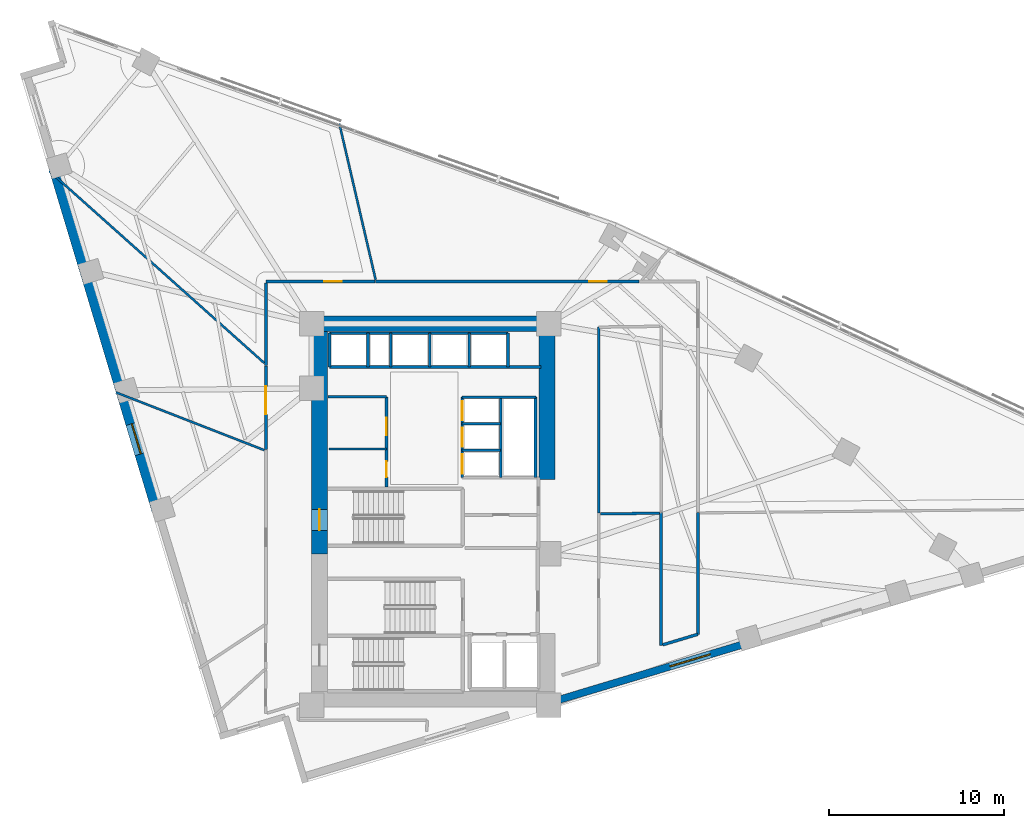
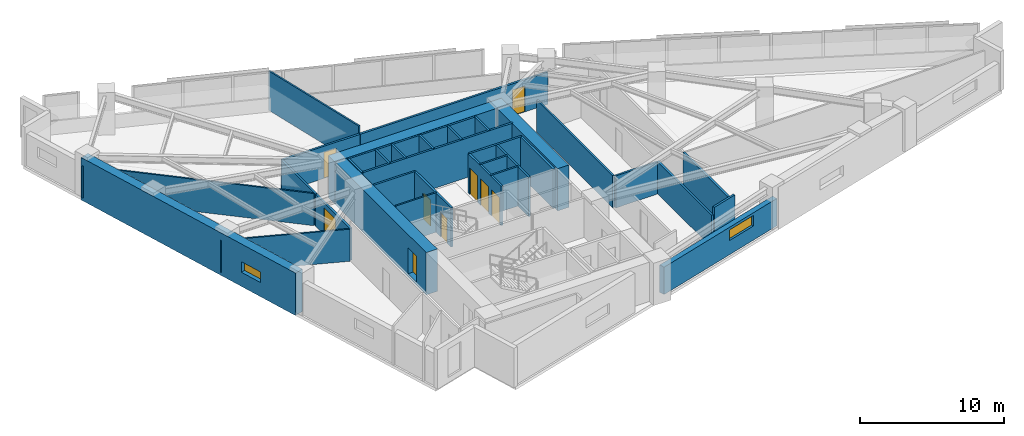
# One storey, part 11 of 15: 35 walls, 9 doors, 2 windows, 11 openings.
"""IFC4 building model written with IfcOpenShell, lengths in metres."""

from ifc_helpers import new_model, si_unit, direction, frame, frame_2d, origin, place, context, subcontext, project, spatial, rectangle, extrude, material, layer, layer_set, type_object, element, fill, save


model = new_model("IFC4")

# Units and contexts
model_context = context("Model", 3, precision=1e-05, world=origin(), true_north=direction((0.0, 1.0)))
body_context = subcontext(model_context, "Body", "Model", "MODEL_VIEW")
ifc_project = project(units=[si_unit("LENGTHUNIT", "METRE"), si_unit("AREAUNIT", "SQUARE_METRE"), si_unit("VOLUMEUNIT", "CUBIC_METRE"), si_unit("PLANEANGLEUNIT", "RADIAN"), si_unit("MASSUNIT", "GRAM", prefix="KILO")], contexts=[model_context])

# Site, building, storey
site_placement = place(None, origin())
site = spatial("IfcSite", under=ifc_project, at=site_placement, CompositionType="ELEMENT")
building_placement = place(site_placement, origin())
building = spatial("IfcBuilding", under=site, at=building_placement, Name="Narakoshi Arena Tower", CompositionType="ELEMENT")
storey_placement = place(building_placement, frame((0.0, 0.0, 157.5)))
storey = spatial("IfcBuildingStorey", under=building, at=storey_placement, Name="L42", CompositionType="ELEMENT", Elevation=157.5)

# Wall, opening, door
ifc_material_1 = material(Name="Concrete C60/75", Category="concrete")
ifc_layer_1 = layer(ifc_material_1, 0.89990234375)
ifc_layer_set_1 = layer_set([ifc_layer_1], Name="Concrete C60/75")
wall_type_1 = type_object("IfcWallType", Name="WL-CORE-900", PredefinedType="SHEAR", material=ifc_layer_set_1)
wall_1_placement = place(storey_placement, frame((72.449951171875, 43.35009765625, -0.260009765625), z_axis=(0.0, 0.0, 1.0), x_axis=(0.0, 1.0, 0.0)))
wall_1 = element("IfcWall", 1, at=wall_1_placement, inside=storey, type_object=wall_type_1, Name="L42 Main Core Shear Wall CW-MN-W", PredefinedType="SHEAR", context=body_context, shape_type="SweptSolid", body=[
    extrude(rectangle(XDim=12.699951171875, YDim=0.89990234375, at=frame_2d((6.35009765625, 0.0))), origin(), (0.0, 0.0, 1.0), 3.60009765625),
])
opening_1_placement = place(wall_1_placement, frame((1.35009765625, 0.0, 0.260009765625)))
opening_1 = element("IfcOpeningElement", 2, at=opening_1_placement, cuts=wall_1, Name="Opening D-03", PredefinedType="OPENING", context=body_context, shape_type="SweptSolid", body=[
    extrude(rectangle(XDim=1.199951171875, YDim=2.199951171875, at=frame_2d((0.60009765625, 1.10009765625))), frame((0.0, 0.4599609375, 0.0), z_axis=(0.0, -1.0, 0.0), x_axis=(1.0, 0.0, 0.0)), (0.0, 0.0, 1.0), 0.919921875),
])
ifc_material_2 = material(Name="Painted galvanized steel", Category="steel")
door_type_1 = type_object("IfcDoorType", Name="DR-STR-1200", OperationType="NOTDEFINED", PredefinedType="USERDEFINED", material=ifc_material_2)
door_1_placement = place(opening_1_placement, frame((1.199951171875, 0.0, 0.0), z_axis=(0.0, 0.0, 1.0), x_axis=(-1.0, 0.0, 0.0)))
door_1 = element("IfcDoor", 3, at=door_1_placement, inside=storey, type_object=door_type_1, Name="DR-L42-006", ObjectType="EXITDOOR", OperationType="SINGLE_SWING_LEFT", OverallHeight=2.199951171875, OverallWidth=1.199951171875, PredefinedType="USERDEFINED", context=body_context, shape_type="SweptSolid", body=[
    extrude(rectangle(XDim=1.199951171875, YDim=2.199951171875, at=frame_2d((0.60009765625, 1.10009765625))), frame((0.0, 0.02490234375, 0.0), z_axis=(0.0, -1.0, 0.0), x_axis=(1.0, 0.0, 0.0)), (0.0, 0.0, 1.0), 0.050048828125),
])
fill(opening_1, door_1)

# Walls
wall_2_placement = place(storey_placement, frame((72.0, 56.5, -0.260009765625), z_axis=(0.0, 0.0, 1.0), x_axis=(1.0, 0.0, 0.0)))
element("IfcWall", 4, at=wall_2_placement, inside=storey, type_object=wall_type_1, Name="L42 Main Core Shear Wall CW-MN-N", PredefinedType="SHEAR", context=body_context, shape_type="SweptSolid", body=[
    extrude(rectangle(XDim=13.89990234375, YDim=0.89990234375, at=frame_2d((6.949951171875, 0.0))), origin(), (0.0, 0.0, 1.0), 3.60009765625),
])
wall_3_placement = place(storey_placement, frame((85.449951171875, 47.60009765625, -0.260009765625), z_axis=(0.0, 0.0, 1.0), x_axis=(0.0, 1.0, 0.0)))
element("IfcWall", 5, at=wall_3_placement, inside=storey, type_object=wall_type_1, Name="L42 Main Core Shear Wall CW-MN-E", PredefinedType="SHEAR", context=body_context, shape_type="SweptSolid", body=[
    extrude(rectangle(XDim=8.449951171875, YDim=0.89990234375, at=frame_2d((4.22509765625, 0.0))), origin(), (0.0, 0.0, 1.0), 3.60009765625),
])
ifc_material_3 = material(Name="Gypsum plasterboard fire-rated partition")
ifc_layer_2 = layer(ifc_material_3, 0.1650390625)
ifc_layer_set_2 = layer_set([ifc_layer_2], Name="Gypsum plasterboard fire-rated partition")
wall_type_2 = type_object("IfcWallType", Name="WL-CORR-165", PredefinedType="PARTITIONING", material=ifc_layer_set_2)
wall_4_placement = place(storey_placement, frame((91.961181640625, 45.707763671875, 0.0), z_axis=(0.0, 0.0, 1.0), x_axis=(0.0, -1.0, 0.0)))
element("IfcWall", 6, at=wall_4_placement, inside=storey, type_object=wall_type_2, Name="L42 Corridor Partition 04-2", PredefinedType="PARTITIONING", context=body_context, shape_type="SweptSolid", body=[
    extrude(rectangle(XDim=7.578857421875, YDim=0.1650390625, at=frame_2d((3.78955078125, 0.0))), origin(), (0.0, 0.0, 1.0), 2.72509765625),
])
wall_5_placement = place(storey_placement, frame((94.061279296875, 38.760986328125, 0.0), z_axis=(0.0, 0.0, 1.0), x_axis=(0.0, 1.0, 0.0)))
element("IfcWall", 7, at=wall_5_placement, inside=storey, type_object=wall_type_2, Name="L42 Corridor Partition 04-3", PredefinedType="PARTITIONING", context=body_context, shape_type="SweptSolid", body=[
    extrude(rectangle(XDim=6.9658203125, YDim=0.1650390625, at=frame_2d((3.48291015625, 0.0))), origin(), (0.0, 0.0, 1.0), 2.72509765625),
])
wall_6_placement = place(storey_placement, frame((92.055908203125, 38.157470703125, 0.0), z_axis=(0.0, 0.0, 1.0), x_axis=(0.957575652527, 0.288182007919, 0.0)))
element("IfcWall", 8, at=wall_6_placement, inside=storey, type_object=wall_type_2, Name="L42 Corridor Partition 04-4", PredefinedType="PARTITIONING", context=body_context, shape_type="SweptSolid", body=[
    extrude(rectangle(XDim=2.09423828125, YDim=0.1650390625, at=frame_2d((1.047119140625, 0.0))), origin(), (0.0, 0.0, 1.0), 3.340087890625),
])

# Wall, opening, door
wall_7_placement = place(storey_placement, frame((90.704345703125, 58.908935546875, 0.0), z_axis=(0.0, 0.0, 1.0), x_axis=(-1.0, 0.0, 0.0)))
wall_7 = element("IfcWall", 9, at=wall_7_placement, inside=storey, type_object=wall_type_2, Name="L42 Corridor Partition 07-1", PredefinedType="PARTITIONING", context=body_context, shape_type="SweptSolid", body=[
    extrude(rectangle(XDim=15.057373046875, YDim=0.1650390625, at=frame_2d((7.52880859375, 0.0))), origin(), (0.0, 0.0, 1.0), 2.72509765625),
])
opening_2_placement = place(wall_7_placement, frame((1.8388671875, 0.0, 0.0)))
opening_2 = element("IfcOpeningElement", 10, at=opening_2_placement, cuts=wall_7, Name="Opening D-06", PredefinedType="OPENING", context=body_context, shape_type="SweptSolid", body=[
    extrude(rectangle(XDim=1.0, YDim=2.199951171875, at=frame_2d((0.5, 1.10009765625))), frame((0.0, 0.092529296875, 0.0), z_axis=(0.0, -1.0, 0.0), x_axis=(1.0, 0.0, 0.0)), (0.0, 0.0, 1.0), 0.18505859375),
])
ifc_material_4 = material(Name="Stained oak solid-core timber", Category="wood")
door_type_2 = type_object("IfcDoorType", Name="DR-OFF-1000", OperationType="NOTDEFINED", PredefinedType="DOOR", material=ifc_material_4)
door_2_placement = place(opening_2_placement, frame((1.0, 0.0, 0.0), z_axis=(0.0, 0.0, 1.0), x_axis=(-1.0, 0.0, 0.0)))
door_2 = element("IfcDoor", 11, at=door_2_placement, inside=storey, type_object=door_type_2, Name="DR-L42-020", OperationType="SINGLE_SWING_RIGHT", OverallHeight=2.199951171875, OverallWidth=1.0, PredefinedType="DOOR", context=body_context, shape_type="SweptSolid", body=[
    extrude(rectangle(XDim=1.0, YDim=2.199951171875, at=frame_2d((0.5, 1.10009765625))), frame((0.0, 0.02490234375, 0.0), z_axis=(0.0, -1.0, 0.0), x_axis=(1.0, 0.0, 0.0)), (0.0, 0.0, 1.0), 0.050048828125),
])
fill(opening_2, door_2)

wall_8_placement = place(storey_placement, frame((75.622314453125, 58.908935546875, 0.0), z_axis=(0.0, 0.0, 1.0), x_axis=(-1.0, 0.0, 0.0)))
wall_8 = element("IfcWall", 12, at=wall_8_placement, inside=storey, type_object=wall_type_2, Name="L42 Corridor Partition 08-1", PredefinedType="PARTITIONING", context=body_context, shape_type="SweptSolid", body=[
    extrude(rectangle(XDim=6.2333984375, YDim=0.1650390625, at=frame_2d((3.11669921875, 0.0))), origin(), (0.0, 0.0, 1.0), 2.72509765625),
])
opening_3_placement = place(wall_8_placement, frame((1.8916015625, 0.0, 0.0)))
opening_3 = element("IfcOpeningElement", 13, at=opening_3_placement, cuts=wall_8, Name="Opening D-06", PredefinedType="OPENING", context=body_context, shape_type="SweptSolid", body=[
    extrude(rectangle(XDim=1.0, YDim=2.199951171875, at=frame_2d((0.5, 1.10009765625))), frame((0.0, 0.092529296875, 0.0), z_axis=(0.0, -1.0, 0.0), x_axis=(1.0, 0.0, 0.0)), (0.0, 0.0, 1.0), 0.18505859375),
])
door_3_placement = place(opening_3_placement, frame((1.0, 0.0, 0.0), z_axis=(0.0, 0.0, 1.0), x_axis=(-1.0, 0.0, 0.0)))
door_3 = element("IfcDoor", 14, at=door_3_placement, inside=storey, type_object=door_type_2, Name="DR-L42-021", OperationType="SINGLE_SWING_LEFT", OverallHeight=2.199951171875, OverallWidth=1.0, PredefinedType="DOOR", context=body_context, shape_type="SweptSolid", body=[
    extrude(rectangle(XDim=1.0, YDim=2.199951171875, at=frame_2d((0.5, 1.10009765625))), frame((0.0, 0.02490234375, 0.0), z_axis=(0.0, -1.0, 0.0), x_axis=(1.0, 0.0, 0.0)), (0.0, 0.0, 1.0), 0.050048828125),
])
fill(opening_3, door_3)

# Wall
wall_9_placement = place(storey_placement, frame((69.388916015625, 58.814453125, 0.0), z_axis=(0.0, 0.0, 1.0), x_axis=(0.0, -1.0, 0.0)))
element("IfcWall", 15, at=wall_9_placement, inside=storey, type_object=wall_type_2, Name="L42 Corridor Partition 08-2", PredefinedType="PARTITIONING", context=body_context, shape_type="SweptSolid", body=[
    extrude(rectangle(XDim=4.69384765625, YDim=0.1650390625, at=frame_2d((2.346923828125, 0.0))), origin(), (0.0, 0.0, 1.0), 2.72509765625),
])

# Wall, opening, door
wall_10_placement = place(storey_placement, frame((69.388916015625, 54.08837890625, 0.0), z_axis=(0.0, 0.0, 1.0), x_axis=(0.0, -1.0, 0.0)))
wall_10 = element("IfcWall", 16, at=wall_10_placement, inside=storey, type_object=wall_type_2, Name="L42 Corridor Partition 09-1", PredefinedType="PARTITIONING", context=body_context, shape_type="SweptSolid", body=[
    extrude(rectangle(XDim=4.78857421875, YDim=0.1650390625, at=frame_2d((2.394287109375, 0.0))), origin(), (0.0, 0.0, 1.0), 2.72509765625),
])
opening_4_placement = place(wall_10_placement, frame((1.176025390625, 0.0, 0.0)))
opening_4 = element("IfcOpeningElement", 17, at=opening_4_placement, cuts=wall_10, Name="Opening D-05", PredefinedType="OPENING", context=body_context, shape_type="SweptSolid", body=[
    extrude(rectangle(XDim=1.60009765625, YDim=2.300048828125, at=frame_2d((0.800048828125, 1.14990234375))), frame((0.0, 0.092529296875, 0.0), z_axis=(0.0, -1.0, 0.0), x_axis=(1.0, 0.0, 0.0)), (0.0, 0.0, 1.0), 0.18505859375),
])
door_type_3 = type_object("IfcDoorType", Name="DR-STE-1600", OperationType="DOUBLE_DOOR_SINGLE_SWING", PredefinedType="DOOR", material=ifc_material_4)
door_4_placement = place(opening_4_placement, frame((1.60009765625, 0.0, 0.0), z_axis=(0.0, 0.0, 1.0), x_axis=(-1.0, 0.0, 0.0)))
door_4 = element("IfcDoor", 18, at=door_4_placement, inside=storey, type_object=door_type_3, Name="DR-L42-022", OperationType="DOUBLE_DOOR_SINGLE_SWING", OverallHeight=2.300048828125, OverallWidth=1.60009765625, PredefinedType="DOOR", context=body_context, shape_type="SweptSolid", body=[
    extrude(rectangle(XDim=1.60009765625, YDim=2.300048828125, at=frame_2d((0.800048828125, 1.14990234375))), frame((0.0, 0.02490234375, 0.0), z_axis=(0.0, -1.0, 0.0), x_axis=(1.0, 0.0, 0.0)), (0.0, 0.0, 1.0), 0.050048828125),
])
fill(opening_4, door_4)

# Wall, opening, window
ifc_layer_3 = layer(ifc_material_1, 0.699951171875)
ifc_layer_set_3 = layer_set([ifc_layer_3], Name="Concrete C60/75")
wall_type_3 = type_object("IfcWallType", Name="WL-LEG-700", PredefinedType="SHEAR", material=ifc_layer_set_3)
wall_11_placement = place(storey_placement, frame((57.322509765625, 65.434326171875, -0.260009765625), z_axis=(0.0, 0.0, 1.0), x_axis=(0.288188159352, -0.957573801234, 0.0)))
wall_11 = element("IfcWall", 19, at=wall_11_placement, inside=storey, type_object=wall_type_3, Name="L42 Architectural Concrete Structural Wall LEGB-2", PredefinedType="SHEAR", context=body_context, shape_type="SweptSolid", body=[
    extrude(rectangle(XDim=20.468994140625, YDim=0.699951171875, at=frame_2d((10.234375, 0.0))), origin(), (0.0, 0.0, 1.0), 3.60009765625),
])
opening_5_placement = place(wall_11_placement, frame((15.300048828125, 0.0, 1.199951171875)))
opening_5 = element("IfcOpeningElement", 20, at=opening_5_placement, cuts=wall_11, Name="Opening WN-02", PredefinedType="OPENING", context=body_context, shape_type="SweptSolid", body=[
    extrude(rectangle(XDim=1.800048828125, YDim=0.89990234375, at=frame_2d((0.89990234375, 0.449951171875))), frame((0.0, 0.35986328125, 0.0), z_axis=(0.0, -1.0, 0.0), x_axis=(1.0, 0.0, 0.0)), (0.0, 0.0, 1.0), 0.719970703125),
])
ifc_material_5 = material(Name="Bronze-tinted low-E laminated glass", Category="glass")
window_type_1 = type_object("IfcWindowType", Name="WIN-SLT-18x09", PartitioningType="SINGLE_PANEL", PredefinedType="WINDOW", material=ifc_material_5)
window_1_placement = place(opening_5_placement, origin())
window_1 = element("IfcWindow", 21, at=window_1_placement, inside=storey, type_object=window_type_1, Name="L42 LEGB2 Horizontal Slot Window 1", OverallHeight=0.89990234375, OverallWidth=1.800048828125, PartitioningType="SINGLE_PANEL", PredefinedType="WINDOW", context=body_context, shape_type="SweptSolid", body=[
    extrude(rectangle(XDim=1.800048828125, YDim=0.89990234375, at=frame_2d((0.89990234375, 0.449951171875))), frame((0.0, 0.030029296875, 0.0), z_axis=(0.0, -1.0, 0.0), x_axis=(1.0, 0.0, 0.0)), (0.0, 0.0, 1.0), 0.06005859375),
])
fill(opening_5, window_1)

# Walls
ifc_layer_4 = layer(ifc_material_3, 0.125)
ifc_layer_set_4 = layer_set([ifc_layer_4], Name="Gypsum plasterboard fire-rated partition")
wall_type_4 = type_object("IfcWallType", Name="WL-PART-125", PredefinedType="PARTITIONING", material=ifc_layer_set_4)
wall_12_placement = place(storey_placement, frame((73.0, 49.35009765625, 0.0), z_axis=(0.0, 0.0, 1.0), x_axis=(1.0, 0.0, 0.0)))
element("IfcWall", 22, at=wall_12_placement, inside=storey, type_object=wall_type_4, Name="L42 Core Wall RCL-LR-D1", PredefinedType="PARTITIONING", context=body_context, shape_type="SweptSolid", body=[
    extrude(rectangle(XDim=3.280029296875, YDim=0.125, at=frame_2d((1.64013671875, 0.0))), origin(), (0.0, 0.0, 1.0), 3.340087890625),
])
wall_13_placement = place(storey_placement, frame((60.8271484375, 52.574951171875, 0.0), z_axis=(0.0, 0.0, 1.0), x_axis=(0.931795434886, -0.362983839208, 0.0)))
element("IfcWall", 23, at=wall_13_placement, inside=storey, type_object=wall_type_4, Name="L42 Inter-Room Partition 01-09", PredefinedType="PARTITIONING", context=body_context, shape_type="SweptSolid", body=[
    extrude(rectangle(XDim=9.09423828125, YDim=0.125, at=frame_2d((4.547119140625, 0.0))), origin(), (0.0, 0.0, 1.0), 2.72509765625),
])
wall_14_placement = place(storey_placement, frame((75.66015625, 59.00341796875, 0.0), z_axis=(0.0, 0.0, 1.0), x_axis=(-0.226611733349, 0.97398517561, 0.0)))
element("IfcWall", 24, at=wall_14_placement, inside=storey, type_object=wall_type_4, Name="L42 Inter-Room Partition 07-08", PredefinedType="PARTITIONING", context=body_context, shape_type="SweptSolid", body=[
    extrude(rectangle(XDim=9.156494140625, YDim=0.125, at=frame_2d((4.578125, 0.0))), origin(), (0.0, 0.0, 1.0), 3.340087890625),
])
wall_15_placement = place(storey_placement, frame((69.294189453125, 54.25341796875, 0.0), z_axis=(0.0, 0.0, 1.0), x_axis=(-0.745872091983, 0.666089200033, 0.0)))
element("IfcWall", 25, at=wall_15_placement, inside=storey, type_object=wall_type_4, Name="L42 Inter-Room Partition 08-09", PredefinedType="PARTITIONING", context=body_context, shape_type="SweptSolid", body=[
    extrude(rectangle(XDim=16.450927734375, YDim=0.125, at=frame_2d((8.2255859375, 0.0))), origin(), (0.0, 0.0, 1.0), 2.72509765625),
])

# Wall, opening, window
ifc_material_6 = material(Name="Precast concrete C45/55", Category="concrete")
ifc_layer_5 = layer(ifc_material_6, 0.419921875)
ifc_layer_set_5 = layer_set([ifc_layer_5], Name="Precast concrete C45/55")
wall_type_5 = type_object("IfcWallType", Name="WL-POD-420", PredefinedType="SOLIDWALL", material=ifc_layer_set_5)
wall_16_placement = place(storey_placement, frame((86.10009765625, 35.00732421875, 0.0), z_axis=(0.0, 0.0, 1.0), x_axis=(0.957569401796, 0.288202777129, 0.0)))
wall_16 = element("IfcWall", 26, at=wall_16_placement, inside=storey, type_object=wall_type_5, Name="L42 Architectural Concrete Facade Wall LEGA-2", PredefinedType="SOLIDWALL", context=body_context, shape_type="SweptSolid", body=[
    extrude(rectangle(XDim=11.447998046875, YDim=0.419921875, at=frame_2d((5.72412109375, 0.0))), origin(), (0.0, 0.0, 1.0), 2.324951171875),
])
opening_6_placement = place(wall_16_placement, frame((6.652099609375, 0.0, 1.199951171875)))
opening_6 = element("IfcOpeningElement", 27, at=opening_6_placement, cuts=wall_16, Name="Opening WN-01", PredefinedType="OPENING", context=body_context, shape_type="SweptSolid", body=[
    extrude(rectangle(XDim=2.39990234375, YDim=0.89990234375, at=frame_2d((1.199951171875, 0.449951171875))), frame((0.0, 0.219970703125, 0.0), z_axis=(0.0, -1.0, 0.0), x_axis=(1.0, 0.0, 0.0)), (0.0, 0.0, 1.0), 0.43994140625),
])
window_type_2 = type_object("IfcWindowType", Name="WIN-SLT-24x09", PartitioningType="SINGLE_PANEL", PredefinedType="WINDOW", material=ifc_material_5)
window_2_placement = place(opening_6_placement, origin())
window_2 = element("IfcWindow", 28, at=window_2_placement, inside=storey, type_object=window_type_2, Name="L42 LEGA2 Horizontal Slot Window 1", OverallHeight=0.89990234375, OverallWidth=2.39990234375, PartitioningType="SINGLE_PANEL", PredefinedType="WINDOW", context=body_context, shape_type="SweptSolid", body=[
    extrude(rectangle(XDim=2.39990234375, YDim=0.89990234375, at=frame_2d((1.199951171875, 0.449951171875))), frame((0.0, 0.030029296875, 0.0), z_axis=(0.0, -1.0, 0.0), x_axis=(1.0, 0.0, 0.0)), (0.0, 0.0, 1.0), 0.06005859375),
])
fill(opening_6, window_2)

# Walls
ifc_material_7 = material(Name="Concrete C40/50", Category="concrete")
ifc_layer_6 = layer(ifc_material_7, 0.280029296875)
ifc_layer_set_6 = layer_set([ifc_layer_6], Name="Concrete C40/50")
wall_type_6 = type_object("IfcWallType", Name="WL-RISER-280", PredefinedType="PLUMBINGWALL", material=ifc_layer_set_6)
for number, where, z_axis, x_axis, name in (
    (29, (80.60009765625, 49.260009765625, 0.0), (0.0, 0.0, 1.0), (1.0, 0.0, 0.0), "L42 Core Wall MR-D1"),
    (30, (80.60009765625, 50.780029296875, 0.0), (0.0, 0.0, 1.0), (1.0, 0.0, 0.0), "L42 Core Wall MR-D2"),
):
    element("IfcWall", number, at=place(storey_placement, frame(where, z_axis=z_axis, x_axis=x_axis)), inside=storey, type_object=wall_type_6, Name=name, PredefinedType="PLUMBINGWALL", context=body_context, shape_type="SweptSolid", body=[
        extrude(rectangle(XDim=2.199951171875, YDim=0.14990234375, at=frame_2d((1.10009765625, 0.0))), origin(), (0.0, 0.0, 1.0), 3.340087890625),
    ])
wall_17_placement = place(storey_placement, frame((82.800048828125, 47.699951171875, 0.0), z_axis=(0.0, 0.0, 1.0), x_axis=(0.0, 1.0, 0.0)))
element("IfcWall", 31, at=wall_17_placement, inside=storey, type_object=wall_type_6, Name="L42 Core Wall MR-E", PredefinedType="PLUMBINGWALL", context=body_context, shape_type="SweptSolid", body=[
    extrude(rectangle(XDim=4.60009765625, YDim=0.14990234375, at=frame_2d((2.300048828125, 0.0))), origin(), (0.0, 0.0, 1.0), 3.340087890625),
])
for number, where, z_axis, x_axis, name in (
    (32, (73.02001953125, 54.02001953125, 0.0), (0.0, 0.0, 1.0), (0.0, 1.0, 0.0), "L42 Core Wall OBS-W"),
    (33, (75.219970703125, 54.02001953125, 0.0), (0.0, 0.0, 1.0), (0.0, 1.0, 0.0), "L42 Core Wall OBS-M"),
):
    element("IfcWall", number, at=place(storey_placement, frame(where, z_axis=z_axis, x_axis=x_axis)), inside=storey, type_object=wall_type_6, Name=name, PredefinedType="PLUMBINGWALL", context=body_context, shape_type="SweptSolid", body=[
        extrude(rectangle(XDim=1.93994140625, YDim=0.14990234375, at=frame_2d((0.969970703125, 0.0))), origin(), (0.0, 0.0, 1.0), 3.340087890625),
    ])
for number, where, z_axis, x_axis, name in (
    (34, (78.75, 54.02001953125, 0.0), (0.0, 0.0, 1.0), (0.0, 1.0, 0.0), "L42 Core Wall HR-D1"),
    (35, (81.0, 54.02001953125, 0.0), (0.0, 0.0, 1.0), (0.0, 1.0, 0.0), "L42 Core Wall HR-D2"),
):
    element("IfcWall", number, at=place(storey_placement, frame(where, z_axis=z_axis, x_axis=x_axis)), inside=storey, type_object=wall_type_6, Name=name, PredefinedType="PLUMBINGWALL", context=body_context, shape_type="SweptSolid", body=[
        extrude(rectangle(XDim=1.9599609375, YDim=0.14990234375, at=frame_2d((0.97998046875, 0.0))), origin(), (0.0, 0.0, 1.0), 3.340087890625),
    ])

# Wall, openings, doors
ifc_material_8 = material(Name="Concrete C50/60", Category="concrete")
ifc_layer_7 = layer(ifc_material_8, 0.35009765625)
ifc_layer_set_7 = layer_set([ifc_layer_7], Name="Concrete C50/60")
wall_type_7 = type_object("IfcWallType", Name="WL-SHAFT-350", PredefinedType="SOLIDWALL", material=ifc_layer_set_7)
wall_18_placement = place(storey_placement, frame((76.280029296875, 47.179931640625, 0.0), z_axis=(0.0, 0.0, 1.0), x_axis=(0.0, 1.0, 0.0)))
wall_18 = element("IfcWall", 36, at=wall_18_placement, inside=storey, type_object=wall_type_7, Name="L42 Core Wall LR-E", PredefinedType="SOLIDWALL", context=body_context, shape_type="SweptSolid", body=[
    extrude(rectangle(XDim=5.14013671875, YDim=0.159912109375, at=frame_2d((2.570068359375, 0.0))), origin(), (0.0, 0.0, 1.0), 3.340087890625),
])
opening_7_placement = place(wall_18_placement, frame((0.550048828125, 0.0, 0.0)))
opening_7 = element("IfcOpeningElement", 37, at=opening_7_placement, cuts=wall_18, Name="Opening D-08", PredefinedType="OPENING", context=body_context, shape_type="SweptSolid", body=[
    extrude(rectangle(XDim=0.89990234375, YDim=2.10009765625, at=frame_2d((0.449951171875, 1.050048828125))), frame((0.0, 0.08984375, 0.0), z_axis=(0.0, -1.0, 0.0), x_axis=(1.0, 0.0, 0.0)), (0.0, 0.0, 1.0), 0.179931640625),
])
opening_8_placement = place(wall_18_placement, frame((2.949951171875, 0.0, 0.0)))
opening_8 = element("IfcOpeningElement", 38, at=opening_8_placement, cuts=wall_18, Name="Opening D-06", PredefinedType="OPENING", context=body_context, shape_type="SweptSolid", body=[
    extrude(rectangle(XDim=1.0, YDim=2.199951171875, at=frame_2d((0.5, 1.10009765625))), frame((0.0, 0.08984375, 0.0), z_axis=(0.0, -1.0, 0.0), x_axis=(1.0, 0.0, 0.0)), (0.0, 0.0, 1.0), 0.179931640625),
])
door_5_placement = place(opening_8_placement, frame((1.0, 0.0, 0.0), z_axis=(0.0, 0.0, 1.0), x_axis=(-1.0, 0.0, 0.0)))
door_5 = element("IfcDoor", 39, at=door_5_placement, inside=storey, type_object=door_type_2, Name="DR-L42-010", OperationType="SINGLE_SWING_LEFT", OverallHeight=2.199951171875, OverallWidth=1.0, PredefinedType="DOOR", context=body_context, shape_type="SweptSolid", body=[
    extrude(rectangle(XDim=1.0, YDim=2.199951171875, at=frame_2d((0.5, 1.10009765625))), frame((0.0, 0.02490234375, 0.0), z_axis=(0.0, -1.0, 0.0), x_axis=(1.0, 0.0, 0.0)), (0.0, 0.0, 1.0), 0.050048828125),
])
fill(opening_8, door_5)
ifc_material_9 = material(Name="Moisture-resistant laminate timber", Category="wood")
door_type_4 = type_object("IfcDoorType", Name="DR-WC-900", OperationType="NOTDEFINED", PredefinedType="DOOR", material=ifc_material_9)
door_6_placement = place(opening_7_placement, frame((0.89990234375, 0.0, 0.0), z_axis=(0.0, 0.0, 1.0), x_axis=(-1.0, 0.0, 0.0)))
door_6 = element("IfcDoor", 40, at=door_6_placement, inside=storey, type_object=door_type_4, Name="DR-L42-009", OperationType="SINGLE_SWING_RIGHT", OverallHeight=2.10009765625, OverallWidth=0.89990234375, PredefinedType="DOOR", context=body_context, shape_type="SweptSolid", body=[
    extrude(rectangle(XDim=0.89990234375, YDim=2.10009765625, at=frame_2d((0.449951171875, 1.050048828125))), frame((0.0, 0.02490234375, 0.0), z_axis=(0.0, -1.0, 0.0), x_axis=(1.0, 0.0, 0.0)), (0.0, 0.0, 1.0), 0.050048828125),
])
fill(opening_7, door_6)

# Wall
wall_19_placement = place(storey_placement, frame((72.949951171875, 52.320068359375, 0.0), z_axis=(0.0, 0.0, 1.0), x_axis=(1.0, 0.0, 0.0)))
element("IfcWall", 41, at=wall_19_placement, inside=storey, type_object=wall_type_7, Name="L42 Core Wall LR-N", PredefinedType="SOLIDWALL", context=body_context, shape_type="SweptSolid", body=[
    extrude(rectangle(XDim=3.330078125, YDim=0.14990234375, at=frame_2d((1.6650390625, 0.0))), origin(), (0.0, 0.0, 1.0), 3.340087890625),
])

# Wall, openings, doors
wall_20_placement = place(storey_placement, frame((80.60009765625, 47.699951171875, 0.0), z_axis=(0.0, 0.0, 1.0), x_axis=(0.0, 1.0, 0.0)))
wall_20 = element("IfcWall", 42, at=wall_20_placement, inside=storey, type_object=wall_type_7, Name="L42 Core Wall MR-W", PredefinedType="SOLIDWALL", context=body_context, shape_type="SweptSolid", body=[
    extrude(rectangle(XDim=4.60009765625, YDim=0.159912109375, at=frame_2d((2.300048828125, 0.0))), origin(), (0.0, 0.0, 1.0), 3.340087890625),
])
opening_9_placement = place(wall_20_placement, frame((0.239990234375, 0.0, 0.0)))
opening_9 = element("IfcOpeningElement", 43, at=opening_9_placement, cuts=wall_20, Name="Opening LD-01", PredefinedType="OPENING", context=body_context, shape_type="SweptSolid", body=[
    extrude(rectangle(XDim=1.10009765625, YDim=2.25, at=frame_2d((0.550048828125, 1.125))), frame((0.0, 0.08984375, 0.0), z_axis=(0.0, -1.0, 0.0), x_axis=(1.0, 0.0, 0.0)), (0.0, 0.0, 1.0), 0.179931640625),
])
opening_10_placement = place(wall_20_placement, frame((1.760009765625, 0.0, 0.0)))
opening_10 = element("IfcOpeningElement", 44, at=opening_10_placement, cuts=wall_20, Name="Opening LD-01", PredefinedType="OPENING", context=body_context, shape_type="SweptSolid", body=[
    extrude(rectangle(XDim=1.10009765625, YDim=2.25, at=frame_2d((0.550048828125, 1.125))), frame((0.0, 0.08984375, 0.0), z_axis=(0.0, -1.0, 0.0), x_axis=(1.0, 0.0, 0.0)), (0.0, 0.0, 1.0), 0.179931640625),
])
opening_11_placement = place(wall_20_placement, frame((3.280029296875, 0.0, 0.0)))
opening_11 = element("IfcOpeningElement", 45, at=opening_11_placement, cuts=wall_20, Name="Opening LD-01", PredefinedType="OPENING", context=body_context, shape_type="SweptSolid", body=[
    extrude(rectangle(XDim=1.10009765625, YDim=2.25, at=frame_2d((0.550048828125, 1.125))), frame((0.0, 0.08984375, 0.0), z_axis=(0.0, -1.0, 0.0), x_axis=(1.0, 0.0, 0.0)), (0.0, 0.0, 1.0), 0.179931640625),
])
ifc_material_10 = material(Name="Brushed bronze stainless steel", Category="steel")
door_type_5 = type_object("IfcDoorType", Name="DR-LFT-1100", OperationType="DOUBLE_DOOR_SLIDING", PredefinedType="DOOR", material=ifc_material_10)
door_7_placement = place(opening_9_placement, frame((1.10009765625, 0.0, 0.0), z_axis=(0.0, 0.0, 1.0), x_axis=(-1.0, 0.0, 0.0)))
door_7 = element("IfcDoor", 46, at=door_7_placement, inside=storey, type_object=door_type_5, Name="DR-L42-011", OperationType="DOUBLE_DOOR_SLIDING", OverallHeight=2.25, OverallWidth=1.10009765625, PredefinedType="DOOR", context=body_context, shape_type="SweptSolid", body=[
    extrude(rectangle(XDim=1.10009765625, YDim=2.25, at=frame_2d((0.550048828125, 1.125))), frame((0.0, 0.02490234375, 0.0), z_axis=(0.0, -1.0, 0.0), x_axis=(1.0, 0.0, 0.0)), (0.0, 0.0, 1.0), 0.050048828125),
])
fill(opening_9, door_7)
door_8_placement = place(opening_10_placement, frame((1.10009765625, 0.0, 0.0), z_axis=(0.0, 0.0, 1.0), x_axis=(-1.0, 0.0, 0.0)))
door_8 = element("IfcDoor", 47, at=door_8_placement, inside=storey, type_object=door_type_5, Name="DR-L42-012", OperationType="DOUBLE_DOOR_SLIDING", OverallHeight=2.25, OverallWidth=1.10009765625, PredefinedType="DOOR", context=body_context, shape_type="SweptSolid", body=[
    extrude(rectangle(XDim=1.10009765625, YDim=2.25, at=frame_2d((0.550048828125, 1.125))), frame((0.0, 0.02490234375, 0.0), z_axis=(0.0, -1.0, 0.0), x_axis=(1.0, 0.0, 0.0)), (0.0, 0.0, 1.0), 0.050048828125),
])
fill(opening_10, door_8)
door_9_placement = place(opening_11_placement, frame((1.10009765625, 0.0, 0.0), z_axis=(0.0, 0.0, 1.0), x_axis=(-1.0, 0.0, 0.0)))
door_9 = element("IfcDoor", 48, at=door_9_placement, inside=storey, type_object=door_type_5, Name="DR-L42-013", OperationType="DOUBLE_DOOR_SLIDING", OverallHeight=2.25, OverallWidth=1.10009765625, PredefinedType="DOOR", context=body_context, shape_type="SweptSolid", body=[
    extrude(rectangle(XDim=1.10009765625, YDim=2.25, at=frame_2d((0.550048828125, 1.125))), frame((0.0, 0.02490234375, 0.0), z_axis=(0.0, -1.0, 0.0), x_axis=(1.0, 0.0, 0.0)), (0.0, 0.0, 1.0), 0.050048828125),
])
fill(opening_11, door_9)

# Walls
wall_21_placement = place(storey_placement, frame((80.60009765625, 52.300048828125, 0.0), z_axis=(0.0, 0.0, 1.0), x_axis=(1.0, 0.0, 0.0)))
element("IfcWall", 49, at=wall_21_placement, inside=storey, type_object=wall_type_7, Name="L42 Core Wall MR-N", PredefinedType="SOLIDWALL", context=body_context, shape_type="SweptSolid", body=[
    extrude(rectangle(XDim=4.219970703125, YDim=0.159912109375, at=frame_2d((2.10986328125, 0.0))), origin(), (0.0, 0.0, 1.0), 3.340087890625),
])
wall_22_placement = place(storey_placement, frame((84.780029296875, 47.699951171875, 0.0), z_axis=(0.0, 0.0, 1.0), x_axis=(0.0, 1.0, 0.0)))
element("IfcWall", 50, at=wall_22_placement, inside=storey, type_object=wall_type_7, Name="L42 Core Wall MR-E2", PredefinedType="SOLIDWALL", context=body_context, shape_type="SweptSolid", body=[
    extrude(rectangle(XDim=4.60009765625, YDim=0.159912109375, at=frame_2d((2.300048828125, 0.0))), origin(), (0.0, 0.0, 1.0), 3.340087890625),
])
wall_23_placement = place(storey_placement, frame((73.02001953125, 54.02001953125, 0.0), z_axis=(0.0, 0.0, 1.0), x_axis=(1.0, 0.0, 0.0)))
element("IfcWall", 51, at=wall_23_placement, inside=storey, type_object=wall_type_7, Name="L42 Core Wall NSHF-S", PredefinedType="SOLIDWALL", context=body_context, shape_type="SweptSolid", body=[
    extrude(rectangle(XDim=12.080078125, YDim=0.159912109375, at=frame_2d((6.0400390625, 0.0))), origin(), (0.0, 0.0, 1.0), 3.340087890625),
])
wall_24_placement = place(storey_placement, frame((73.02001953125, 55.9599609375, 0.0), z_axis=(0.0, 0.0, 1.0), x_axis=(1.0, 0.0, 0.0)))
element("IfcWall", 52, at=wall_24_placement, inside=storey, type_object=wall_type_7, Name="L42 Core Wall OBS-N", PredefinedType="SOLIDWALL", context=body_context, shape_type="SweptSolid", body=[
    extrude(rectangle(XDim=3.5, YDim=0.14990234375, at=frame_2d((1.75, 0.0))), origin(), (0.0, 0.0, 1.0), 3.340087890625),
])
wall_25_placement = place(storey_placement, frame((76.52001953125, 54.02001953125, 0.0), z_axis=(0.0, 0.0, 1.0), x_axis=(0.0, 1.0, 0.0)))
element("IfcWall", 53, at=wall_25_placement, inside=storey, type_object=wall_type_7, Name="L42 Core Wall OBS-E", PredefinedType="SOLIDWALL", context=body_context, shape_type="SweptSolid", body=[
    extrude(rectangle(XDim=1.93994140625, YDim=0.14990234375, at=frame_2d((0.969970703125, 0.0))), origin(), (0.0, 0.0, 1.0), 3.340087890625),
])
wall_26_placement = place(storey_placement, frame((83.219970703125, 54.02001953125, 0.0), z_axis=(0.0, 0.0, 1.0), x_axis=(0.0, 1.0, 0.0)))
element("IfcWall", 54, at=wall_26_placement, inside=storey, type_object=wall_type_7, Name="L42 Core Wall HR-E", PredefinedType="SOLIDWALL", context=body_context, shape_type="SweptSolid", body=[
    extrude(rectangle(XDim=1.9599609375, YDim=0.14990234375, at=frame_2d((0.97998046875, 0.0))), origin(), (0.0, 0.0, 1.0), 3.340087890625),
])
wall_27_placement = place(storey_placement, frame((76.52001953125, 55.9599609375, 0.0), z_axis=(0.0, 0.0, 1.0), x_axis=(1.0, 0.0, 0.0)))
element("IfcWall", 55, at=wall_27_placement, inside=storey, type_object=wall_type_7, Name="L42 Core Wall HR-N", PredefinedType="SOLIDWALL", context=body_context, shape_type="SweptSolid", body=[
    extrude(rectangle(XDim=6.699951171875, YDim=0.14990234375, at=frame_2d((3.35009765625, 0.0))), origin(), (0.0, 0.0, 1.0), 3.340087890625),
])
ifc_material_11 = material(Name="Moisture-resistant cement-board partition")
ifc_layer_8 = layer(ifc_material_11, 0.14501953125)
ifc_layer_set_8 = layer_set([ifc_layer_8], Name="Moisture-resistant cement-board partition")
wall_type_8 = type_object("IfcWallType", Name="WL-WET-145", PredefinedType="PARTITIONING", material=ifc_layer_set_8)
wall_28_placement = place(storey_placement, frame((88.494384765625, 45.640380859375, 0.0), z_axis=(0.0, 0.0, 1.0), x_axis=(0.999959056277, 0.009049075656, 0.0)))
element("IfcWall", 56, at=wall_28_placement, inside=storey, type_object=wall_type_8, Name="L42 Inter-Room Partition 04-06", PredefinedType="PARTITIONING", context=body_context, shape_type="SweptSolid", body=[
    extrude(rectangle(XDim=3.37255859375, YDim=0.14501953125, at=frame_2d((1.686279296875, 0.0))), origin(), (0.0, 0.0, 1.0), 2.72509765625),
])
wall_29_placement = place(storey_placement, frame((88.39990234375, 45.699462890625, 0.0), z_axis=(0.0, 0.0, 1.0), x_axis=(0.0, 1.0, 0.0)))
element("IfcWall", 57, at=wall_29_placement, inside=storey, type_object=wall_type_8, Name="L42 Corridor Partition 06-2", PredefinedType="PARTITIONING", context=body_context, shape_type="SweptSolid", body=[
    extrude(rectangle(XDim=10.600830078125, YDim=0.14501953125, at=frame_2d((5.30029296875, 0.0))), origin(), (0.0, 0.0, 1.0), 2.72509765625),
])

save(model, "model.ifc")
